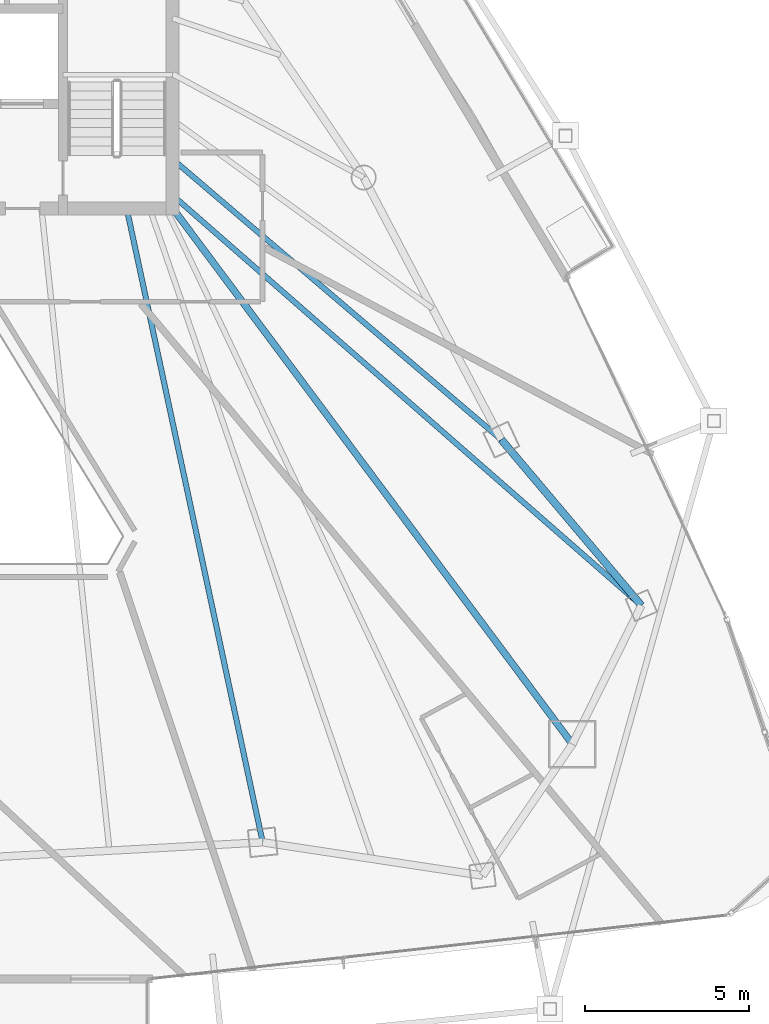
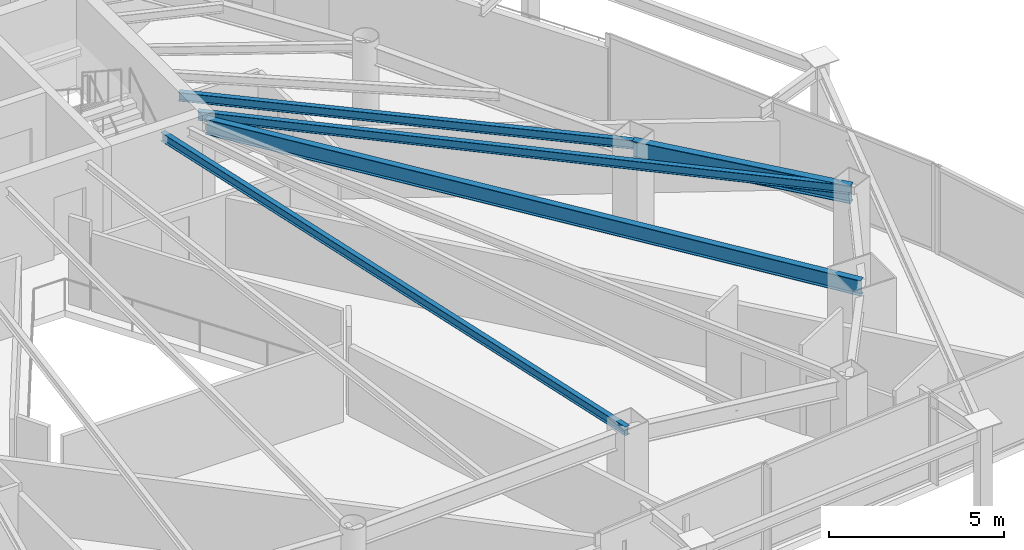
# One storey, part 16 of 31: 5 beams.
"""IFC4 building model written with IfcOpenShell, lengths in metres."""

from ifc_helpers import new_model, si_unit, direction, frame, origin, origin_2d, place, context, subcontext, project, spatial, i_section, extrude, material, material_profile, profile_set, type_object, element, save


model = new_model("IFC4")

# Units and contexts
model_context = context("Model", 3, precision=1e-05, world=origin(), true_north=direction((0.0, 1.0)))
body_context = subcontext(model_context, "Body", "Model", "MODEL_VIEW")
ifc_project = project(units=[si_unit("LENGTHUNIT", "METRE"), si_unit("AREAUNIT", "SQUARE_METRE"), si_unit("VOLUMEUNIT", "CUBIC_METRE"), si_unit("PLANEANGLEUNIT", "RADIAN"), si_unit("MASSUNIT", "GRAM", prefix="KILO")], contexts=[model_context])

# Site, building, storey
site_placement = place(None, origin())
site = spatial("IfcSite", under=ifc_project, at=site_placement, CompositionType="ELEMENT")
building_placement = place(site_placement, origin())
building = spatial("IfcBuilding", under=site, at=building_placement, Name="Orvanel Arch Residences", CompositionType="ELEMENT")
storey_placement = place(building_placement, frame((0.0, 0.0, 133.10009765625)))
storey = spatial("IfcBuildingStorey", under=building, at=storey_placement, Name="L37", CompositionType="ELEMENT", Elevation=133.10009765625)

# Beams
ifc_material = material(Name="Structural steel AS/NZS 3679.1 Grade 300 (300 MPa)", Category="steel")
ifc_material_profile_1 = material_profile(ifc_material, i_section(OverallWidth=0.208984375, OverallDepth=0.532958984375, WebThickness=0.01025390625, FlangeThickness=0.015625, at=origin_2d()), Name="530UB92.4")
ifc_profile_set_1 = profile_set([ifc_material_profile_1], Name="Structural steel AS/NZS 3679.1 Grade 300 (300 MPa)")
beam_type_1 = type_object("IfcBeamType", Name="BG-530UB", PredefinedType="BEAM", material=ifc_profile_set_1)
beam_1_placement = place(storey_placement, frame((39.625, 26.675048828125, 2.79296875), z_axis=(0.597893733742, -0.801575375839, 0.0), x_axis=(0.801575375839, 0.597893733742, 0.0)))
element("IfcBeam", 1, at=beam_1_placement, inside=storey, type_object=beam_type_1, Name="L37 South-East Radial Girder", PredefinedType="BEAM", context=body_context, shape_type="SweptSolid", body=[
    extrude(i_section(OverallWidth=0.208984375, OverallDepth=0.532958984375, WebThickness=0.01025390625, FlangeThickness=0.015625, at=origin_2d()), origin(), (0.0, 0.0, 1.0), 20.36474609375),
])
ifc_material_profile_2 = material_profile(ifc_material, i_section(OverallWidth=0.1650390625, OverallDepth=0.303955078125, WebThickness=0.006103515625, FlangeThickness=0.01025390625, at=origin_2d()), Name="310UB40.4")
ifc_profile_set_2 = profile_set([ifc_material_profile_2], Name="Structural steel AS/NZS 3679.1 Grade 300 (300 MPa)")
beam_type_2 = type_object("IfcBeamType", Name="BJ-310UB", PredefinedType="JOIST", material=ifc_profile_set_2)
beam_2_placement = place(storey_placement, frame((39.60009765625, 28.199951171875, 2.907958984375), z_axis=(0.760821315761, -0.648961420644, 0.0), x_axis=(0.648961420644, 0.760821315761, 0.0)))
element("IfcBeam", 2, at=beam_2_placement, inside=storey, type_object=beam_type_2, Name="L37 E Wing Floor Joist", PredefinedType="JOIST", context=body_context, shape_type="SweptSolid", body=[
    extrude(i_section(OverallWidth=0.1650390625, OverallDepth=0.303955078125, WebThickness=0.006103515625, FlangeThickness=0.01025390625, at=origin_2d()), origin(), (0.0, 0.0, 1.0), 13.18701171875),
])
beam_3_placement = place(storey_placement, frame((38.199951171875, 26.699951171875, 2.907958984375), z_axis=(0.209808012425, -0.977742603103, 0.0), x_axis=(0.977742603103, 0.209808012425, 0.0)))
element("IfcBeam", 3, at=beam_3_placement, inside=storey, type_object=beam_type_2, Name="L37 SE Wing Floor Joist", PredefinedType="JOIST", context=body_context, shape_type="SweptSolid", body=[
    extrude(i_section(OverallWidth=0.1650390625, OverallDepth=0.303955078125, WebThickness=0.006103515625, FlangeThickness=0.01025390625, at=origin_2d()), origin(), (0.0, 0.0, 1.0), 19.785400390625),
])
beam_4_placement = place(storey_placement, frame((39.60009765625, 27.10009765625, 2.907958984375), z_axis=(0.752493154183, -0.658600070534, 0.0), x_axis=(0.658600070534, 0.752493154183, 0.0)))
element("IfcBeam", 4, at=beam_4_placement, inside=storey, type_object=beam_type_2, Name="L37 ME Wing Floor Joist", PredefinedType="JOIST", context=body_context, shape_type="SweptSolid", body=[
    extrude(i_section(OverallWidth=0.1650390625, OverallDepth=0.303955078125, WebThickness=0.006103515625, FlangeThickness=0.01025390625, at=origin_2d()), origin(), (0.0, 0.0, 1.0), 19.010009765625),
])
ifc_material_profile_3 = material_profile(ifc_material, i_section(OverallWidth=0.22900390625, OverallDepth=0.612060546875, WebThickness=0.011962890625, FlangeThickness=0.01953125, at=origin_2d()), Name="610UB125")
ifc_profile_set_3 = profile_set([ifc_material_profile_3], Name="Structural steel AS/NZS 3679.1 Grade 300 (300 MPa)")
beam_type_3 = type_object("IfcBeamType", Name="SP-610UB", PredefinedType="SPANDREL", material=ifc_profile_set_3)
beam_5_placement = place(storey_placement, frame((53.905029296875, 14.580078125, 2.75390625), z_axis=(-0.644950329775, 0.764224490659, 0.0), x_axis=(-0.764224490659, -0.644950329775, 0.0)))
element("IfcBeam", 5, at=beam_5_placement, inside=storey, type_object=beam_type_3, Name="L37 Perimeter Spandrel Beam 10", PredefinedType="SPANDREL", context=body_context, shape_type="SweptSolid", body=[
    extrude(i_section(OverallWidth=0.22900390625, OverallDepth=0.612060546875, WebThickness=0.011962890625, FlangeThickness=0.01953125, at=origin_2d()), origin(), (0.0, 0.0, 1.0), 6.623779296875),
])

save(model, "model.ifc")
